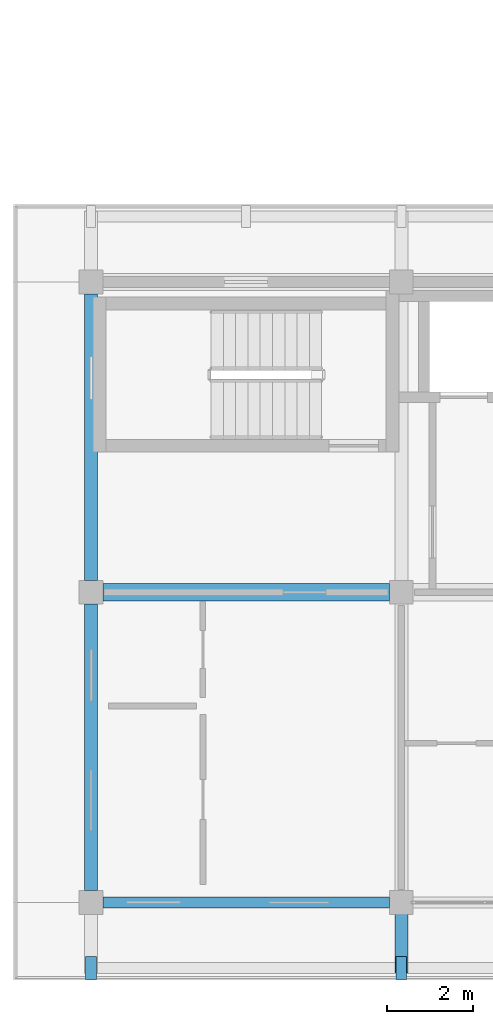
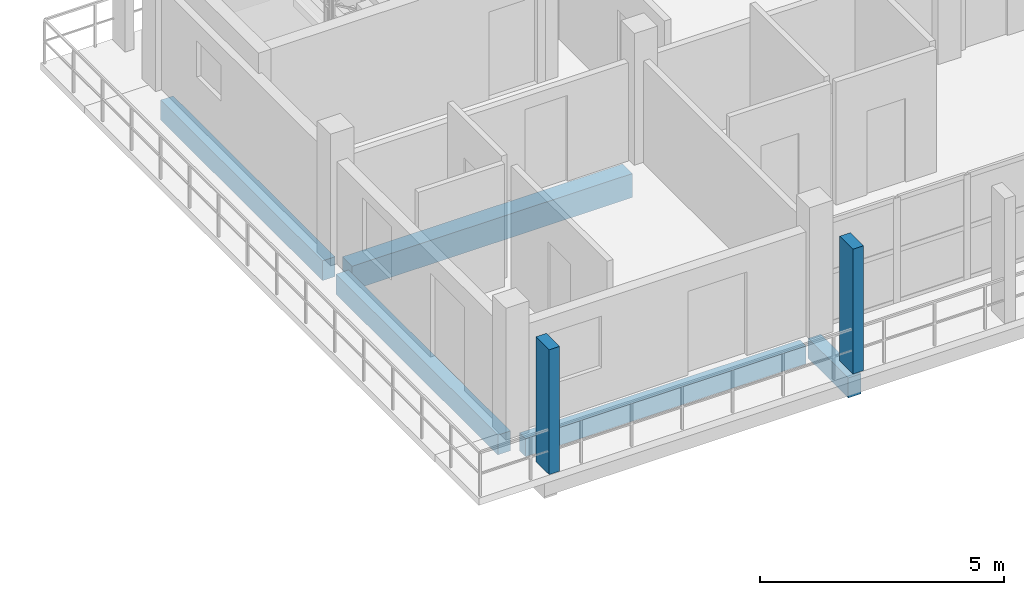
# One storey, part 16 of 60: 5 beams, 2 members.
"""IFC4 building model written with IfcOpenShell, lengths in metres."""

from ifc_helpers import new_model, si_unit, direction, frame, origin, origin_2d, place, context, subcontext, project, spatial, rectangle, extrude, material, material_profile, profile_set, type_object, element, save


model = new_model("IFC4")

# Units and contexts
model_context = context("Model", 3, precision=1e-05, world=origin(), true_north=direction((0.0, 1.0)))
body_context = subcontext(model_context, "Body", "Model", "MODEL_VIEW")
ifc_project = project(units=[si_unit("LENGTHUNIT", "METRE"), si_unit("AREAUNIT", "SQUARE_METRE"), si_unit("VOLUMEUNIT", "CUBIC_METRE"), si_unit("PLANEANGLEUNIT", "RADIAN"), si_unit("MASSUNIT", "GRAM", prefix="KILO")], contexts=[model_context])

# Site, building, storey
site_placement = place(None, origin())
site = spatial("IfcSite", under=ifc_project, at=site_placement, CompositionType="ELEMENT")
building_placement = place(site_placement, origin())
building = spatial("IfcBuilding", under=site, at=building_placement, Name="Suanplinth Sawtooth Commons", CompositionType="ELEMENT")
storey_placement = place(building_placement, frame((0.0, 0.0, 31.5)))
storey = spatial("IfcBuildingStorey", under=building, at=storey_placement, Name="L09", CompositionType="ELEMENT", Elevation=31.5)

# Beams
ifc_material_1 = material(Name="Precast concrete C40/50", Category="concrete")
ifc_material_profile_1 = material_profile(ifc_material_1, rectangle(XDim=0.39990234375, YDim=0.60009765625, at=origin_2d()), Name="PC-GDR 400x600")
ifc_profile_set_1 = profile_set([ifc_material_profile_1], Name="Precast concrete C40/50")
beam_type_1 = type_object("IfcBeamType", Name="B-05", PredefinedType="USERDEFINED", material=ifc_profile_set_1)
beam_1_placement = place(storey_placement, frame((137.074951171875, 7.199951171875, -0.550048828125), z_axis=(1.0, 0.0, 0.0), x_axis=(0.0, 1.0, 0.0)))
element("IfcBeam", 1, at=beam_1_placement, inside=storey, type_object=beam_type_1, Name="BMX-L09-C-19-1", ObjectType="GIRDER", PredefinedType="USERDEFINED", context=body_context, shape_type="SweptSolid", body=[
    extrude(rectangle(XDim=0.39990234375, YDim=0.60009765625, at=origin_2d()), origin(), (0.0, 0.0, 1.0), 6.650146484375),
])
ifc_material_profile_2 = material_profile(ifc_material_1, rectangle(XDim=0.300048828125, YDim=0.5, at=origin_2d()), Name="PC-BM 300x500")
ifc_profile_set_2 = profile_set([ifc_material_profile_2], Name="Precast concrete C40/50")
beam_type_2 = type_object("IfcBeamType", Name="B-07", PredefinedType="BEAM", material=ifc_profile_set_2)
beam_2_placement = place(storey_placement, frame((136.800048828125, 0.27490234375, -0.5), z_axis=(0.0, 1.0, 0.0), x_axis=(-1.0, 0.0, 0.0)))
element("IfcBeam", 2, at=beam_2_placement, inside=storey, type_object=beam_type_2, Name="BMY-L09-C-19-0", PredefinedType="BEAM", context=body_context, shape_type="SweptSolid", body=[
    extrude(rectangle(XDim=0.300048828125, YDim=0.5, at=origin_2d()), origin(), (0.0, 0.0, 1.0), 6.650146484375),
])
beam_3_placement = place(storey_placement, frame((136.800048828125, 7.47509765625, -0.5), z_axis=(0.0, 1.0, 0.0), x_axis=(-1.0, 0.0, 0.0)))
element("IfcBeam", 3, at=beam_3_placement, inside=storey, type_object=beam_type_2, Name="BMY-L09-C-19-1", PredefinedType="BEAM", context=body_context, shape_type="SweptSolid", body=[
    extrude(rectangle(XDim=0.300048828125, YDim=0.5, at=origin_2d()), origin(), (0.0, 0.0, 1.0), 6.64990234375),
])
beam_4_placement = place(storey_placement, frame((144.0, 0.0, -0.429931640625), z_axis=(0.0, -1.0, 0.0), x_axis=(1.0, 0.0, 0.0)))
element("IfcBeam", 4, at=beam_4_placement, inside=storey, type_object=beam_type_2, Name="Balcony Outrigger L09-C-S-20", PredefinedType="BEAM", context=body_context, shape_type="SweptSolid", body=[
    extrude(rectangle(XDim=0.300048828125, YDim=0.5, at=origin_2d()), origin(), (0.0, 0.0, 1.0), 1.639892578125),
])
ifc_material_profile_3 = material_profile(ifc_material_1, rectangle(XDim=0.25, YDim=0.449951171875, at=origin_2d()), Name="PC-SP 250x450")
ifc_profile_set_3 = profile_set([ifc_material_profile_3], Name="Precast concrete C40/50")
beam_type_3 = type_object("IfcBeamType", Name="B-09", PredefinedType="SPANDREL", material=ifc_profile_set_3)
beam_5_placement = place(storey_placement, frame((137.074951171875, 0.0, -0.47509765625), z_axis=(1.0, 0.0, 0.0), x_axis=(0.0, 1.0, 0.0)))
element("IfcBeam", 5, at=beam_5_placement, inside=storey, type_object=beam_type_3, Name="BMX-L09-C-19-0", PredefinedType="SPANDREL", context=body_context, shape_type="SweptSolid", body=[
    extrude(rectangle(XDim=0.25, YDim=0.449951171875, at=origin_2d()), origin(), (0.0, 0.0, 1.0), 6.650146484375),
])

# Members
ifc_material_2 = material(Name="Pigmented precast concrete C40/50", Category="concrete")
ifc_material_profile_4 = material_profile(ifc_material_2, rectangle(XDim=0.25, YDim=0.5400390625, at=origin_2d()), Name="PC-FIN 250x540")
ifc_profile_set_4 = profile_set([ifc_material_profile_4], Name="Pigmented precast concrete C40/50")
member_type = type_object("IfcMemberType", Name="M-11", PredefinedType="USERDEFINED", material=ifc_profile_set_4)
for number, where, z_axis, x_axis, name in (
    (6, (136.800048828125, -1.52001953125, 0.0), (0.0, 0.0, 1.0), (1.0, 0.0, 0.0), "Upright Solar Blade L09-C-S-01"),
    (7, (144.0, -1.52001953125, 0.0), (0.0, 0.0, 1.0), (1.0, 0.0, 0.0), "Upright Solar Blade L09-C-S-02"),
):
    element("IfcMember", number, at=place(storey_placement, frame(where, z_axis=z_axis, x_axis=x_axis)), inside=storey, type_object=member_type, Name=name, ObjectType="SHADING FIN", PredefinedType="USERDEFINED", context=body_context, shape_type="SweptSolid", body=[
        extrude(rectangle(XDim=0.25, YDim=0.5400390625, at=origin_2d()), origin(), (0.0, 0.0, 1.0), 3.1298828125),
    ])

save(model, "model.ifc")
